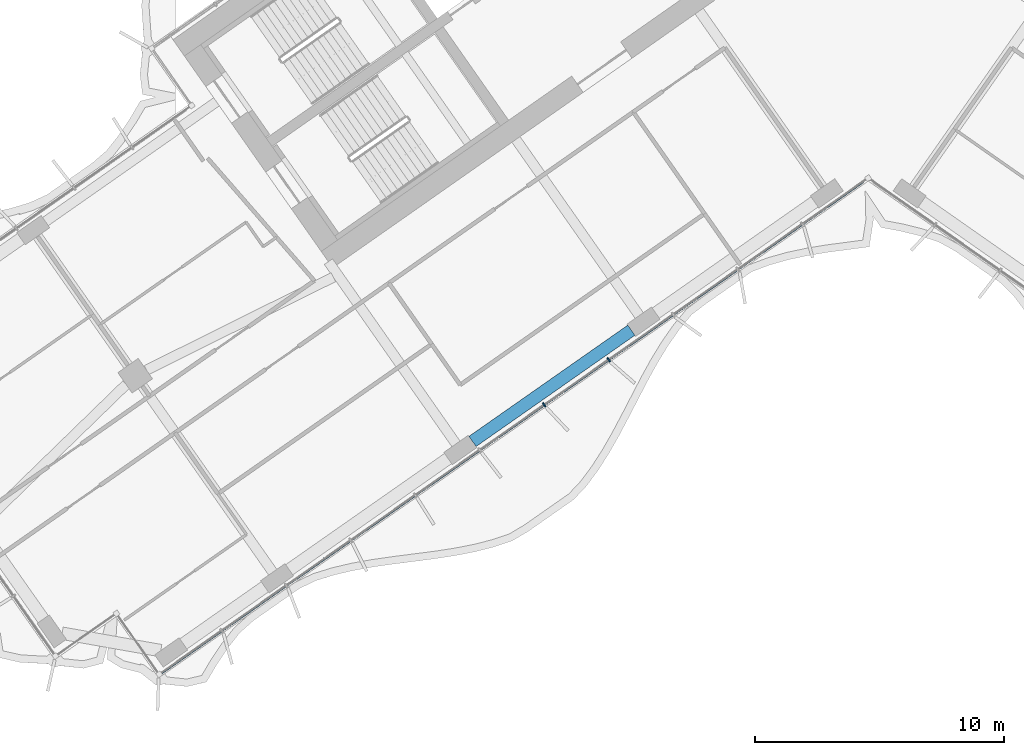
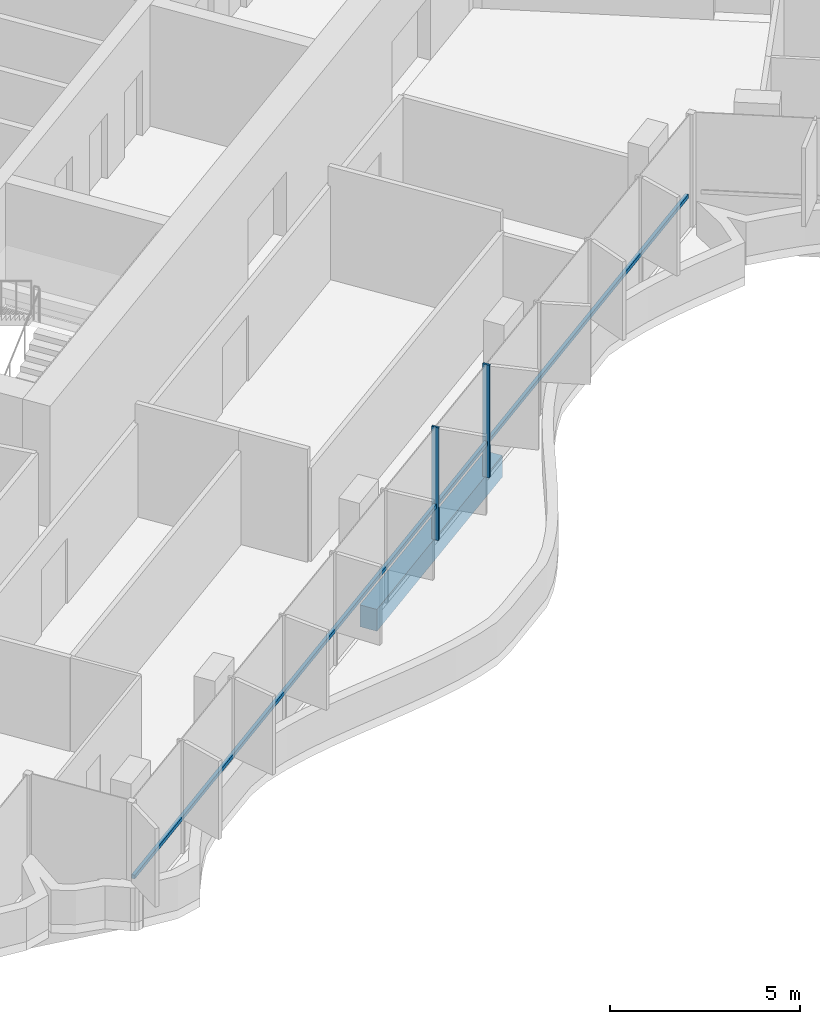
# One storey, part 3 of 22: 3 members, 1 beam, 1 element without a shape of its own.
"""IFC4 building model written with IfcOpenShell, lengths in metres."""

from ifc_helpers import new_model, si_unit, direction, frame, origin, origin_2d, place, context, subcontext, project, spatial, rectangle, extrude, material, material_profile, profile_set, type_object, element, aggregate, save


model = new_model("IFC4")

# Units and contexts
model_context = context("Model", 3, precision=1e-05, world=origin(), true_north=direction((0.0, 1.0)))
body_context = subcontext(model_context, "Body", "Model", "MODEL_VIEW")
ifc_project = project(units=[si_unit("LENGTHUNIT", "METRE"), si_unit("AREAUNIT", "SQUARE_METRE"), si_unit("VOLUMEUNIT", "CUBIC_METRE"), si_unit("PLANEANGLEUNIT", "RADIAN"), si_unit("MASSUNIT", "GRAM", prefix="KILO")], contexts=[model_context])

# Site, building, storey
site_placement = place(None, origin())
site = spatial("IfcSite", under=ifc_project, at=site_placement, CompositionType="ELEMENT")
building_placement = place(site_placement, origin())
building = spatial("IfcBuilding", under=site, at=building_placement, Name="Tel Ilan Convention Tower", CompositionType="ELEMENT")
storey_placement = place(building_placement, frame((0.0, 0.0, 143.699951171875)))
storey = spatial("IfcBuildingStorey", under=building, at=storey_placement, Name="L32", CompositionType="ELEMENT", Elevation=143.699951171875)

# Beam
ifc_material_1 = material(Name="Concrete C40/50", Category="concrete")
ifc_material_profile_1 = material_profile(ifc_material_1, rectangle(XDim=0.5, YDim=0.699951171875, at=origin_2d()), Name="RC 500x700")
ifc_profile_set_1 = profile_set([ifc_material_profile_1], Name="Concrete C40/50")
beam_type = type_object("IfcBeamType", Name="Beam RC 500x700 Concrete C40/50", PredefinedType="BEAM", material=ifc_profile_set_1)
beam_placement = place(storey_placement, frame((-9.529052734375, -18.819091796875, -0.6298828125), z_axis=(-0.819153977895, -0.573573674866, 0.0), x_axis=(0.573573674866, -0.819153977895, 0.0)))
element("IfcBeam", 1, at=beam_placement, inside=storey, type_object=beam_type, Name="L32 beam W-W-F2-W-F3", PredefinedType="BEAM", context=body_context, shape_type="SweptSolid", body=[
    extrude(rectangle(XDim=0.5, YDim=0.699951171875, at=origin_2d()), origin(), (0.0, 0.0, 1.0), 7.800048828125),
])

# Curtain wall, members
ifc_material_2 = material(Name="Aluminium, bronze anodised", Category="aluminium")
curtain_wall_type = type_object("IfcCurtainWallType", Name="CW4 STICK CURTAIN WALL, OFFICE TINTED GLASS", PredefinedType="NOTDEFINED", material=ifc_material_2)
curtain_wall_placement = place(storey_placement, origin())
curtain_wall = element("IfcCurtainWall", 2, at=curtain_wall_placement, inside=storey, type_object=curtain_wall_type, Name="Curtain wall CW4-26.04", PredefinedType="NOTDEFINED")
ifc_material_3 = material(Name="Aluminium, bronze anodised", Category="aluminium")
ifc_material_profile_2 = material_profile(ifc_material_3, rectangle(XDim=0.06005859375, YDim=0.199951171875, at=origin_2d()), Name="CW MULLION 60x200")
ifc_profile_set_2 = profile_set([ifc_material_profile_2], Name="Aluminium, bronze anodised")
member_type_1 = type_object("IfcMemberType", Name="CW MULLION 60x200", PredefinedType="MULLION", material=ifc_profile_set_2)
member_1_placement = place(storey_placement, frame((-13.03271484375, -21.821533203125, 0.0), z_axis=(0.0, 0.0, 1.0), x_axis=(0.819152044289, 0.573576436351, 0.0)))
member_1 = element("IfcMember", 3, at=member_1_placement, type_object=member_type_1, Name="Mullion", PredefinedType="MULLION", context=body_context, shape_type="SweptSolid", body=[
    extrude(rectangle(XDim=0.06005859375, YDim=0.199951171875, at=origin_2d()), origin(), (0.0, 0.0, 1.0), 3.6201171875),
])
member_2_placement = place(storey_placement, frame((-10.4375, -20.004638671875, 0.0), z_axis=(0.0, 0.0, 1.0), x_axis=(0.819152044289, 0.573576436351, 0.0)))
member_2 = element("IfcMember", 4, at=member_2_placement, type_object=member_type_1, Name="Mullion", PredefinedType="MULLION", context=body_context, shape_type="SweptSolid", body=[
    extrude(rectangle(XDim=0.06005859375, YDim=0.199951171875, at=origin_2d()), origin(), (0.0, 0.0, 1.0), 3.6201171875),
])
ifc_material_4 = material(Name="Aluminium, bronze anodised", Category="aluminium")
ifc_material_profile_3 = material_profile(ifc_material_4, rectangle(XDim=0.10009765625, YDim=0.1201171875, at=origin_2d()), Name="CW TRANSOM 100x120")
ifc_profile_set_3 = profile_set([ifc_material_profile_3], Name="Aluminium, bronze anodised")
member_type_2 = type_object("IfcMemberType", Name="CW TRANSOM 100x120", PredefinedType="USERDEFINED", material=ifc_profile_set_3)
member_3_placement = place(storey_placement, frame((-28.439208984375, -32.609375, 1.10009765625), z_axis=(0.819151003602, 0.573577922604, 0.0), x_axis=(-0.573577922604, 0.819151003602, 0.0)))
member_3 = element("IfcMember", 5, at=member_3_placement, type_object=member_type_2, Name="Transom", ObjectType="TRANSOM", PredefinedType="USERDEFINED", context=body_context, shape_type="SweptSolid", body=[
    extrude(rectangle(XDim=0.10009765625, YDim=0.1201171875, at=origin_2d()), origin(), (0.0, 0.0, 1.0), 34.447998046875),
])
aggregate(curtain_wall, [member_1, member_2, member_3])

save(model, "model.ifc")
